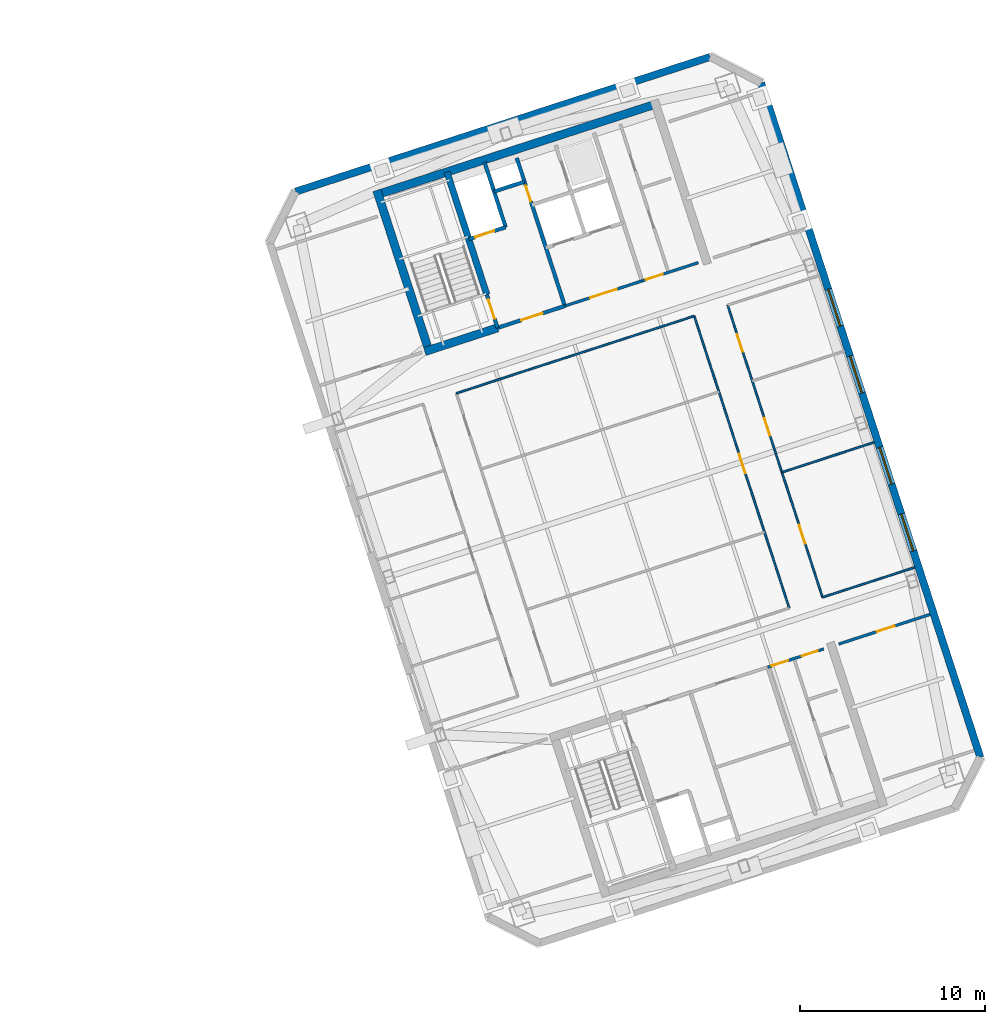
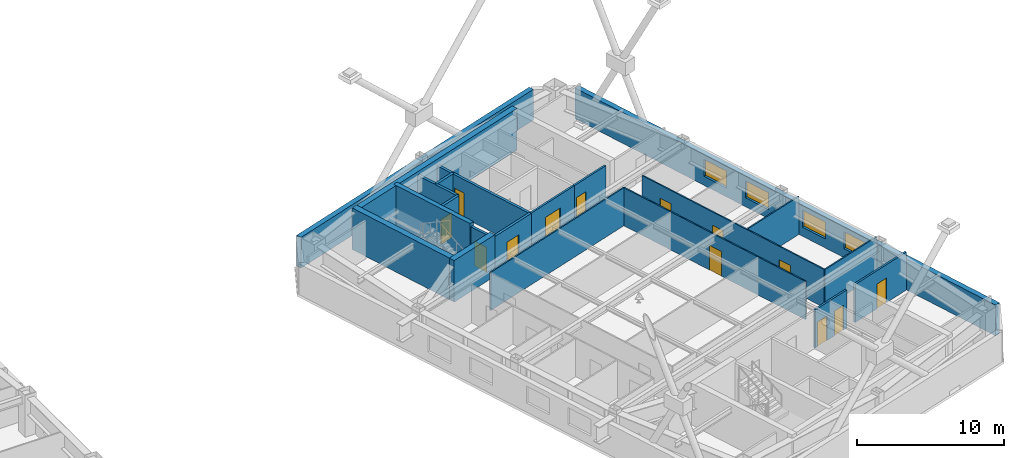
# One storey, part 10 of 15: 21 walls, 13 doors, 4 windows, 17 openings.
"""IFC4 building model written with IfcOpenShell, lengths in metres."""

from ifc_helpers import new_model, si_unit, direction, frame, frame_2d, origin, place, context, subcontext, project, spatial, rectangle, extrude, material, layer, layer_set, type_object, element, fill, save


model = new_model("IFC4")

# Units and contexts
model_context = context("Model", 3, precision=1e-05, world=origin(), true_north=direction((0.0, 1.0)))
body_context = subcontext(model_context, "Body", "Model", "MODEL_VIEW")
ifc_project = project(units=[si_unit("LENGTHUNIT", "METRE"), si_unit("AREAUNIT", "SQUARE_METRE"), si_unit("VOLUMEUNIT", "CUBIC_METRE"), si_unit("PLANEANGLEUNIT", "RADIAN"), si_unit("MASSUNIT", "GRAM", prefix="KILO")], contexts=[model_context])

# Site, building, storey
site_placement = place(None, origin())
site = spatial("IfcSite", under=ifc_project, at=site_placement, CompositionType="ELEMENT")
building_placement = place(site_placement, origin())
building = spatial("IfcBuilding", under=site, at=building_placement, Name="Qiaolan Cultural Towers", CompositionType="ELEMENT")
storey_placement = place(building_placement, frame((0.0, 0.0, 212.75)))
storey = spatial("IfcBuildingStorey", under=building, at=storey_placement, Name="L57", CompositionType="ELEMENT", Elevation=212.75)

# Walls
ifc_material_1 = material(Name="Concrete C50", Category="concrete")
ifc_layer_1 = layer(ifc_material_1, 0.35009765625)
ifc_layer_set_1 = layer_set([ifc_layer_1], Name="Concrete C50")
wall_type_1 = type_object("IfcWallType", Name="WL-CORE-350", PredefinedType="SHEAR", material=ifc_layer_set_1)
wall_1_placement = place(storey_placement, frame((82.513671875, 45.13134765625, 0.0), z_axis=(0.0, 0.0, 1.0), x_axis=(-0.308988790936, 0.951065679686, 0.0)))
element("IfcWall", 1, at=wall_1_placement, inside=storey, type_object=wall_type_1, Name="L57 T2-CN Stair Core Dividing Web", PredefinedType="SHEAR", context=body_context, shape_type="SweptSolid", body=[
    extrude(rectangle(XDim=6.97998046875, YDim=0.35009765625, at=frame_2d((3.489990234375, 0.0))), origin(), (0.0, 0.0, 1.0), 3.449951171875),
])
ifc_material_2 = material(Name="Concrete C50", Category="concrete")
ifc_layer_2 = layer(ifc_material_2, 0.449951171875)
ifc_layer_set_2 = layer_set([ifc_layer_2], Name="Concrete C50")
wall_type_2 = type_object("IfcWallType", Name="WL-CORE-450", PredefinedType="SHEAR", material=ifc_layer_set_2)
wall_2_placement = place(storey_placement, frame((76.414794921875, 50.489013671875, 0.0), z_axis=(0.0, 0.0, 1.0), x_axis=(0.951056810414, 0.309016089169, 0.0)))
element("IfcWall", 2, at=wall_2_placement, inside=storey, type_object=wall_type_2, Name="L57 T2-CN Outer Core Shear Wall", PredefinedType="SHEAR", context=body_context, shape_type="SweptSolid", body=[
    extrude(rectangle(XDim=16.25, YDim=0.449951171875, at=frame_2d((8.125, 0.0))), origin(), (0.0, 0.0, 1.0), 3.449951171875),
])
wall_3_placement = place(storey_placement, frame((79.4423828125, 41.899169921875, 0.0), z_axis=(0.0, 0.0, 1.0), x_axis=(-0.309035778627, 0.951050412717, 0.0)))
element("IfcWall", 3, at=wall_3_placement, inside=storey, type_object=wall_type_2, Name="L57 T2-CN West Core Shear Wall", PredefinedType="SHEAR", context=body_context, shape_type="SweptSolid", body=[
    extrude(rectangle(XDim=9.330078125, YDim=0.449951171875, at=frame_2d((4.6650390625, 0.0))), origin(), (0.0, 0.0, 1.0), 3.449951171875),
])
wall_4_placement = place(storey_placement, frame((79.15869140625, 42.04345703125, 0.0), z_axis=(0.0, 0.0, 1.0), x_axis=(0.951047485828, 0.309044785913, 0.0)))
element("IfcWall", 4, at=wall_4_placement, inside=storey, type_object=wall_type_2, Name="L57 T2-CN Stair Front Shear Wall", PredefinedType="SHEAR", context=body_context, shape_type="SweptSolid", body=[
    extrude(rectangle(XDim=4.14501953125, YDim=0.449951171875, at=frame_2d((2.072509765625, 0.0))), origin(), (0.0, 0.0, 1.0), 3.449951171875),
])
ifc_material_3 = material(Name="Precast Concrete C50 Honed Stone Pier", Category="masonry")
ifc_layer_3 = layer(ifc_material_3, 0.39990234375)
ifc_layer_set_3 = layer_set([ifc_layer_3], Name="Precast Concrete C50 Honed Stone Pier")
wall_type_3 = type_object("IfcWallType", Name="WL-EXT-PIER-400", PredefinedType="SOLIDWALL", material=ifc_layer_set_3)
wall_5_placement = place(storey_placement, frame((72.16455078125, 50.706298828125, 0.0), z_axis=(0.0, 0.0, 1.0), x_axis=(0.951058012937, 0.309012388148, 0.0)))
element("IfcWall", 5, at=wall_5_placement, inside=storey, type_object=wall_type_3, Name="L57 East Tower Precast Pier Facade Wall F3", PredefinedType="SOLIDWALL", context=body_context, shape_type="SweptSolid", body=[
    extrude(rectangle(XDim=23.60009765625, YDim=0.39990234375, at=frame_2d((11.800048828125, 0.0))), origin(), (0.0, 0.0, 1.0), 2.550048828125),
])

# Wall, openings, windows
wall_6_placement = place(storey_placement, frame((97.381591796875, 56.58642578125, 0.0), z_axis=(0.0, 0.0, 1.0), x_axis=(0.309016491071, -0.951056679828, 0.0)))
wall_6 = element("IfcWall", 6, at=wall_6_placement, inside=storey, type_object=wall_type_3, Name="L57 East Tower Precast Pier Facade Wall F5", PredefinedType="SOLIDWALL", context=body_context, shape_type="SweptSolid", body=[
    extrude(rectangle(XDim=38.39990234375, YDim=0.39990234375, at=frame_2d((19.199951171875, 0.0))), origin(), (0.0, 0.0, 1.0), 2.550048828125),
])
opening_1_placement = place(wall_6_placement, frame((24.550048828125, 0.0, 0.75)))
opening_1 = element("IfcOpeningElement", 7, at=opening_1_placement, cuts=wall_6, Name="Opening W-05", PredefinedType="OPENING", context=body_context, shape_type="SweptSolid", body=[
    extrude(rectangle(XDim=2.10009765625, YDim=1.39990234375, at=frame_2d((1.050048828125, 0.699951171875))), frame((0.0, 0.2099609375, 0.0), z_axis=(0.0, -1.0, 0.0), x_axis=(1.0, 0.0, 0.0)), (0.0, 0.0, 1.0), 0.419921875),
])
opening_2_placement = place(wall_6_placement, frame((20.75, 0.0, 0.75)))
opening_2 = element("IfcOpeningElement", 8, at=opening_2_placement, cuts=wall_6, Name="Opening W-05", PredefinedType="OPENING", context=body_context, shape_type="SweptSolid", body=[
    extrude(rectangle(XDim=2.10009765625, YDim=1.39990234375, at=frame_2d((1.050048828125, 0.699951171875))), frame((0.0, 0.2099609375, 0.0), z_axis=(0.0, -1.0, 0.0), x_axis=(1.0, 0.0, 0.0)), (0.0, 0.0, 1.0), 0.419921875),
])
opening_3_placement = place(wall_6_placement, frame((15.550048828125, 0.0, 0.75)))
opening_3 = element("IfcOpeningElement", 9, at=opening_3_placement, cuts=wall_6, Name="Opening W-05", PredefinedType="OPENING", context=body_context, shape_type="SweptSolid", body=[
    extrude(rectangle(XDim=2.10009765625, YDim=1.39990234375, at=frame_2d((1.050048828125, 0.699951171875))), frame((0.0, 0.2099609375, 0.0), z_axis=(0.0, -1.0, 0.0), x_axis=(1.0, 0.0, 0.0)), (0.0, 0.0, 1.0), 0.419921875),
])
opening_4_placement = place(wall_6_placement, frame((11.75, 0.0, 0.75)))
opening_4 = element("IfcOpeningElement", 10, at=opening_4_placement, cuts=wall_6, Name="Opening W-05", PredefinedType="OPENING", context=body_context, shape_type="SweptSolid", body=[
    extrude(rectangle(XDim=2.10009765625, YDim=1.39990234375, at=frame_2d((1.050048828125, 0.699951171875))), frame((0.0, 0.2099609375, 0.0), z_axis=(0.0, -1.0, 0.0), x_axis=(1.0, 0.0, 0.0)), (0.0, 0.0, 1.0), 0.419921875),
])
ifc_material_4 = material(Name="Thermally Broken Aluminium Triple Low-E Glazing", Category="aluminium")
window_type = type_object("IfcWindowType", Name="WN-CHIC-2100", PartitioningType="SINGLE_PANEL", PredefinedType="WINDOW", material=ifc_material_4)
window_1_placement = place(opening_1_placement, origin())
window_1 = element("IfcWindow", 11, at=window_1_placement, inside=storey, type_object=window_type, Name="L57 T2 E Chicago Bay Window 1", OverallHeight=1.39990234375, OverallWidth=2.10009765625, PartitioningType="TRIPLE_PANEL_VERTICAL", PredefinedType="WINDOW", context=body_context, shape_type="SweptSolid", body=[
    extrude(rectangle(XDim=2.10009765625, YDim=1.39990234375, at=frame_2d((1.050048828125, 0.699951171875))), frame((0.0, 0.030029296875, 0.0), z_axis=(0.0, -1.0, 0.0), x_axis=(1.0, 0.0, 0.0)), (0.0, 0.0, 1.0), 0.06005859375),
])
fill(opening_1, window_1)
window_2_placement = place(opening_2_placement, origin())
window_2 = element("IfcWindow", 12, at=window_2_placement, inside=storey, type_object=window_type, Name="L57 T2 E Chicago Bay Window 2", OverallHeight=1.39990234375, OverallWidth=2.10009765625, PartitioningType="TRIPLE_PANEL_VERTICAL", PredefinedType="WINDOW", context=body_context, shape_type="SweptSolid", body=[
    extrude(rectangle(XDim=2.10009765625, YDim=1.39990234375, at=frame_2d((1.050048828125, 0.699951171875))), frame((0.0, 0.030029296875, 0.0), z_axis=(0.0, -1.0, 0.0), x_axis=(1.0, 0.0, 0.0)), (0.0, 0.0, 1.0), 0.06005859375),
])
fill(opening_2, window_2)
window_3_placement = place(opening_3_placement, origin())
window_3 = element("IfcWindow", 13, at=window_3_placement, inside=storey, type_object=window_type, Name="L57 T2 E Chicago Bay Window 3", OverallHeight=1.39990234375, OverallWidth=2.10009765625, PartitioningType="TRIPLE_PANEL_VERTICAL", PredefinedType="WINDOW", context=body_context, shape_type="SweptSolid", body=[
    extrude(rectangle(XDim=2.10009765625, YDim=1.39990234375, at=frame_2d((1.050048828125, 0.699951171875))), frame((0.0, 0.030029296875, 0.0), z_axis=(0.0, -1.0, 0.0), x_axis=(1.0, 0.0, 0.0)), (0.0, 0.0, 1.0), 0.06005859375),
])
fill(opening_3, window_3)
window_4_placement = place(opening_4_placement, origin())
window_4 = element("IfcWindow", 14, at=window_4_placement, inside=storey, type_object=window_type, Name="L57 T2 E Chicago Bay Window 4", OverallHeight=1.39990234375, OverallWidth=2.10009765625, PartitioningType="TRIPLE_PANEL_VERTICAL", PredefinedType="WINDOW", context=body_context, shape_type="SweptSolid", body=[
    extrude(rectangle(XDim=2.10009765625, YDim=1.39990234375, at=frame_2d((1.050048828125, 0.699951171875))), frame((0.0, 0.030029296875, 0.0), z_axis=(0.0, -1.0, 0.0), x_axis=(1.0, 0.0, 0.0)), (0.0, 0.0, 1.0), 0.06005859375),
])
fill(opening_4, window_4)

# Wall, opening, door
ifc_material_5 = material(Name="Concrete C35 Fire Wall", Category="concrete")
ifc_layer_4 = layer(ifc_material_5, 0.199951171875)
ifc_layer_set_4 = layer_set([ifc_layer_4], Name="Concrete C35 Fire Wall")
wall_type_4 = type_object("IfcWallType", Name="WL-FIRE-200", PredefinedType="PARTITIONING", material=ifc_layer_set_4)
wall_7_placement = place(storey_placement, frame((83.100830078125, 43.324462890625, 0.0), z_axis=(0.0, 0.0, 1.0), x_axis=(-0.309048298632, 0.951046344356, 0.0)))
wall_7 = element("IfcWall", 15, at=wall_7_placement, inside=storey, type_object=wall_type_4, Name="L57 T2-CN Smokeproof Stair Entry Wall", PredefinedType="PARTITIONING", context=body_context, shape_type="SweptSolid", body=[
    extrude(rectangle(XDim=1.89990234375, YDim=0.199951171875, at=frame_2d((0.949951171875, 0.0))), origin(), (0.0, 0.0, 1.0), 3.155029296875),
])
opening_5_placement = place(wall_7_placement, frame((0.52001953125, 0.0, 0.0)))
opening_5 = element("IfcOpeningElement", 16, at=opening_5_placement, cuts=wall_7, Name="Opening FD-04", PredefinedType="OPENING", context=body_context, shape_type="SweptSolid", body=[
    extrude(rectangle(XDim=1.10009765625, YDim=2.050048828125, at=frame_2d((0.550048828125, 1.02490234375))), frame((0.0, 0.10986328125, 0.0), z_axis=(0.0, -1.0, 0.0), x_axis=(1.0, 0.0, 0.0)), (0.0, 0.0, 1.0), 0.219970703125),
])
ifc_material_6 = material(Name="Galvanized Steel Command Fire Door", Category="steel")
door_type_1 = type_object("IfcDoorType", Name="DR-FD90-1100", OperationType="NOTDEFINED", PredefinedType="DOOR", material=ifc_material_6)
door_1_placement = place(opening_5_placement, origin())
door_1 = element("IfcDoor", 17, at=door_1_placement, inside=storey, type_object=door_type_1, Name="L57 ST-E2 Smokeproof Stair Fire Door", OperationType="SINGLE_SWING_LEFT", OverallHeight=2.050048828125, OverallWidth=1.10009765625, PredefinedType="DOOR", context=body_context, shape_type="SweptSolid", body=[
    extrude(rectangle(XDim=1.10009765625, YDim=2.050048828125, at=frame_2d((0.550048828125, 1.02490234375))), frame((0.0, 0.02490234375, 0.0), z_axis=(0.0, -1.0, 0.0), x_axis=(1.0, 0.0, 0.0)), (0.0, 0.0, 1.0), 0.050048828125),
])
fill(opening_5, door_1)

wall_8_placement = place(storey_placement, frame((86.743408203125, 44.508056640625, 0.0), z_axis=(0.0, 0.0, 1.0), x_axis=(-0.309016001439, 0.951056838919, 0.0)))
wall_8 = element("IfcWall", 18, at=wall_8_placement, inside=storey, type_object=wall_type_4, Name="L57 T2-CN Firefighting Zone Wall", PredefinedType="PARTITIONING", context=body_context, shape_type="SweptSolid", body=[
    extrude(rectangle(XDim=8.429931640625, YDim=0.199951171875, at=frame_2d((4.21484375, 0.0))), origin(), (0.0, 0.0, 1.0), 3.155029296875),
])
opening_6_placement = place(wall_8_placement, frame((5.949951171875, 0.0, 0.0)))
opening_6 = element("IfcOpeningElement", 19, at=opening_6_placement, cuts=wall_8, Name="Opening ID-06", PredefinedType="OPENING", context=body_context, shape_type="SweptSolid", body=[
    extrude(rectangle(XDim=0.89990234375, YDim=2.050048828125, at=frame_2d((0.449951171875, 1.02490234375))), frame((0.0, 0.10986328125, 0.0), z_axis=(0.0, -1.0, 0.0), x_axis=(1.0, 0.0, 0.0)), (0.0, 0.0, 1.0), 0.219970703125),
])
ifc_material_7 = material(Name="Fire-Rated Laminate Core Service Door", Category="timber")
door_type_2 = type_object("IfcDoorType", Name="DR-INT-900", OperationType="NOTDEFINED", PredefinedType="DOOR", material=ifc_material_7)
door_2_placement = place(opening_6_placement, origin())
door_2 = element("IfcDoor", 20, at=door_2_placement, inside=storey, type_object=door_type_2, Name="L57 Sky Shuttle Transfer Lobby Door", OperationType="SINGLE_SWING_LEFT", OverallHeight=2.050048828125, OverallWidth=0.89990234375, PredefinedType="DOOR", context=body_context, shape_type="SweptSolid", body=[
    extrude(rectangle(XDim=0.89990234375, YDim=2.050048828125, at=frame_2d((0.449951171875, 1.02490234375))), frame((0.0, 0.02490234375, 0.0), z_axis=(0.0, -1.0, 0.0), x_axis=(1.0, 0.0, 0.0)), (0.0, 0.0, 1.0), 0.050048828125),
])
fill(opening_6, door_2)

wall_9_placement = place(storey_placement, frame((83.100830078125, 43.324462890625, 0.0), z_axis=(0.0, 0.0, 1.0), x_axis=(0.951052804469, 0.309028417967, 0.0)))
wall_9 = element("IfcWall", 21, at=wall_9_placement, inside=storey, type_object=wall_type_4, Name="L57 T2-CN Firefighting Lobby Front Wall", PredefinedType="PARTITIONING", context=body_context, shape_type="SweptSolid", body=[
    extrude(rectangle(XDim=3.830078125, YDim=0.199951171875, at=frame_2d((1.9150390625, 0.0))), origin(), (0.0, 0.0, 1.0), 3.155029296875),
])
opening_7_placement = place(wall_9_placement, frame((1.35009765625, 0.0, 0.0)))
opening_7 = element("IfcOpeningElement", 22, at=opening_7_placement, cuts=wall_9, Name="Opening FD-03", PredefinedType="OPENING", context=body_context, shape_type="SweptSolid", body=[
    extrude(rectangle(XDim=1.199951171875, YDim=2.050048828125, at=frame_2d((0.60009765625, 1.02490234375))), frame((0.0, 0.10986328125, 0.0), z_axis=(0.0, -1.0, 0.0), x_axis=(1.0, 0.0, 0.0)), (0.0, 0.0, 1.0), 0.219970703125),
])
ifc_material_8 = material(Name="Galvanized Steel Smokeproof Lobby Fire Door", Category="steel")
door_type_3 = type_object("IfcDoorType", Name="DR-FD90-1200", OperationType="NOTDEFINED", PredefinedType="DOOR", material=ifc_material_8)
door_3_placement = place(opening_7_placement, origin())
door_3 = element("IfcDoor", 23, at=door_3_placement, inside=storey, type_object=door_type_3, Name="L57 FFL-E2 Firefighting Lobby Fire Door", OperationType="SINGLE_SWING_LEFT", OverallHeight=2.050048828125, OverallWidth=1.199951171875, PredefinedType="DOOR", context=body_context, shape_type="SweptSolid", body=[
    extrude(rectangle(XDim=1.199951171875, YDim=2.050048828125, at=frame_2d((0.60009765625, 1.02490234375))), frame((0.0, 0.02490234375, 0.0), z_axis=(0.0, -1.0, 0.0), x_axis=(1.0, 0.0, 0.0)), (0.0, 0.0, 1.0), 0.050048828125),
])
fill(opening_7, door_3)

wall_10_placement = place(storey_placement, frame((81.540283203125, 48.127197265625, 0.0), z_axis=(0.0, 0.0, 1.0), x_axis=(0.951062257173, 0.308999325213, 0.0)))
wall_10 = element("IfcWall", 24, at=wall_10_placement, inside=storey, type_object=wall_type_4, Name="L57 T2-CN Firefighting Shaft Front Wall", PredefinedType="PARTITIONING", context=body_context, shape_type="SweptSolid", body=[
    extrude(rectangle(XDim=2.10009765625, YDim=0.199951171875, at=frame_2d((1.050048828125, 0.0))), origin(), (0.0, 0.0, 1.0), 3.155029296875),
])
opening_8_placement = place(wall_10_placement, frame((0.35009765625, 0.0, 0.0)))
opening_8 = element("IfcOpeningElement", 25, at=opening_8_placement, cuts=wall_10, Name="Opening LD-01", PredefinedType="OPENING", context=body_context, shape_type="SweptSolid", body=[
    extrude(rectangle(XDim=1.10009765625, YDim=2.050048828125, at=frame_2d((0.550048828125, 1.02490234375))), frame((0.0, 0.10986328125, 0.0), z_axis=(0.0, -1.0, 0.0), x_axis=(1.0, 0.0, 0.0)), (0.0, 0.0, 1.0), 0.219970703125),
])
ifc_material_9 = material(Name="Brushed Stainless Steel S30408 Centre-Parting Lift Landing Door", Category="steel")
door_type_4 = type_object("IfcDoorType", Name="DR-LIFT-1100", OperationType="NOTDEFINED", PredefinedType="DOOR", material=ifc_material_9)
door_4_placement = place(opening_8_placement, origin())
door_4 = element("IfcDoor", 26, at=door_4_placement, inside=storey, type_object=door_type_4, Name="L57 FFL-E2 Firefighting Lift Landing Door", OperationType="DOUBLE_DOOR_SLIDING", OverallHeight=2.050048828125, OverallWidth=1.10009765625, PredefinedType="DOOR", context=body_context, shape_type="SweptSolid", body=[
    extrude(rectangle(XDim=1.10009765625, YDim=2.050048828125, at=frame_2d((0.550048828125, 1.02490234375))), frame((0.0, 0.02490234375, 0.0), z_axis=(0.0, -1.0, 0.0), x_axis=(1.0, 0.0, 0.0)), (0.0, 0.0, 1.0), 0.050048828125),
])
fill(opening_8, door_4)

# Walls
wall_11_placement = place(storey_placement, frame((83.53759765625, 48.776123046875, 0.0), z_axis=(0.0, 0.0, 1.0), x_axis=(-0.3089935693, 0.951064127245, 0.0)))
element("IfcWall", 27, at=wall_11_placement, inside=storey, type_object=wall_type_4, Name="L57 T2-CN Firefighting Hoistway East Wall", PredefinedType="PARTITIONING", context=body_context, shape_type="SweptSolid", body=[
    extrude(rectangle(XDim=3.7001953125, YDim=0.199951171875, at=frame_2d((1.85009765625, 0.0))), origin(), (0.0, 0.0, 1.0), 3.155029296875),
])
wall_12_placement = place(storey_placement, frame((82.910400390625, 50.706787109375, 0.0), z_axis=(0.0, 0.0, 1.0), x_axis=(0.951041328149, 0.309063734775, 0.0)))
element("IfcWall", 28, at=wall_12_placement, inside=storey, type_object=wall_type_4, Name="L57 T2-CN Pressurization Shaft Front Wall", PredefinedType="PARTITIONING", context=body_context, shape_type="SweptSolid", body=[
    extrude(rectangle(XDim=1.72998046875, YDim=0.199951171875, at=frame_2d((0.864990234375, 0.0))), origin(), (0.0, 0.0, 1.0), 3.155029296875),
])
ifc_material_10 = material(Name="Acoustic Double-Glazed Partition Frame", Category="glass")
ifc_layer_5 = layer(ifc_material_10, 0.10009765625)
ifc_layer_set_5 = layer_set([ifc_layer_5], Name="Acoustic Double-Glazed Partition Frame")
wall_type_5 = type_object("IfcWallType", Name="WL-GLAZED-100", PredefinedType="MOVABLE", material=ifc_layer_set_5)
wall_13_placement = place(storey_placement, frame((100.70263671875, 28.729248046875, 0.0), z_axis=(0.0, 0.0, 1.0), x_axis=(0.951055596592, 0.309019824916, 0.0)))
element("IfcWall", 29, at=wall_13_placement, inside=storey, type_object=wall_type_5, Name="L57 T2 Interior Wall", PredefinedType="MOVABLE", context=body_context, shape_type="SweptSolid", body=[
    extrude(rectangle(XDim=5.249755859375, YDim=0.10009765625, at=frame_2d((2.625, 0.0))), origin(), (0.0, 0.0, 1.0), 3.155029296875),
])
wall_14_placement = place(storey_placement, frame((80.86669921875, 39.780517578125, 0.0), z_axis=(0.0, 0.0, 1.0), x_axis=(0.951054192928, 0.309024144872, 0.0)))
element("IfcWall", 30, at=wall_14_placement, inside=storey, type_object=wall_type_5, Name="L57 T2 Interior Wall", PredefinedType="MOVABLE", context=body_context, shape_type="SweptSolid", body=[
    extrude(rectangle(XDim=13.550048828125, YDim=0.10009765625, at=frame_2d((6.77490234375, 0.0))), origin(), (0.0, 0.0, 1.0), 3.155029296875),
])

# Wall, opening, door
wall_15_placement = place(storey_placement, frame((98.8955078125, 28.14208984375, 0.0), z_axis=(0.0, 0.0, 1.0), x_axis=(-0.30901773025, 0.951056277195, 0.0)))
wall_15 = element("IfcWall", 31, at=wall_15_placement, inside=storey, type_object=wall_type_5, Name="L57 T2 Interior Wall", PredefinedType="MOVABLE", context=body_context, shape_type="SweptSolid", body=[
    extrude(rectangle(XDim=16.64013671875, YDim=0.10009765625, at=frame_2d((8.320068359375, 0.0))), origin(), (0.0, 0.0, 1.0), 3.155029296875),
])
opening_9_placement = place(wall_15_placement, frame((7.679931640625, 0.0, 0.0)))
opening_9 = element("IfcOpeningElement", 32, at=opening_9_placement, cuts=wall_15, Name="Opening ID-03", PredefinedType="OPENING", context=body_context, shape_type="SweptSolid", body=[
    extrude(rectangle(XDim=1.10009765625, YDim=2.050048828125, at=frame_2d((0.550048828125, 1.02490234375))), frame((0.0, 0.06005859375, 0.0), z_axis=(0.0, -1.0, 0.0), x_axis=(1.0, 0.0, 0.0)), (0.0, 0.0, 1.0), 0.1201171875),
])
ifc_material_11 = material(Name="Oak Veneer Solid-Core Boardroom Door", Category="timber")
door_type_5 = type_object("IfcDoorType", Name="DR-INT-1100", OperationType="NOTDEFINED", PredefinedType="DOOR", material=ifc_material_11)
door_5_placement = place(opening_9_placement, origin())
door_5 = element("IfcDoor", 33, at=door_5_placement, inside=storey, type_object=door_type_5, Name="L57 T2 Central Study Salon Door", OperationType="SINGLE_SWING_LEFT", OverallHeight=2.050048828125, OverallWidth=1.10009765625, PredefinedType="DOOR", context=body_context, shape_type="SweptSolid", body=[
    extrude(rectangle(XDim=1.10009765625, YDim=2.050048828125, at=frame_2d((0.550048828125, 1.02490234375))), frame((0.0, 0.02490234375, 0.0), z_axis=(0.0, -1.0, 0.0), x_axis=(1.0, 0.0, 0.0)), (0.0, 0.0, 1.0), 0.050048828125),
])
fill(opening_9, door_5)

# Wall, openings, doors
wall_16_placement = place(storey_placement, frame((100.70263671875, 28.729248046875, 0.0), z_axis=(0.0, 0.0, 1.0), x_axis=(-0.30901773025, 0.951056277195, 0.0)))
wall_16 = element("IfcWall", 34, at=wall_16_placement, inside=storey, type_object=wall_type_5, Name="L57 T2 Interior Wall", PredefinedType="MOVABLE", context=body_context, shape_type="SweptSolid", body=[
    extrude(rectangle(XDim=16.64013671875, YDim=0.10009765625, at=frame_2d((8.320068359375, 0.0))), origin(), (0.0, 0.0, 1.0), 3.155029296875),
])
opening_10_placement = place(wall_16_placement, frame((3.06005859375, 0.0, 0.0)))
opening_10 = element("IfcOpeningElement", 35, at=opening_10_placement, cuts=wall_16, Name="Opening ID-07", PredefinedType="OPENING", context=body_context, shape_type="SweptSolid", body=[
    extrude(rectangle(XDim=1.050048828125, YDim=2.050048828125, at=frame_2d((0.52490234375, 1.02490234375))), frame((0.0, 0.06005859375, 0.0), z_axis=(0.0, -1.0, 0.0), x_axis=(1.0, 0.0, 0.0)), (0.0, 0.0, 1.0), 0.1201171875),
])
opening_11_placement = place(wall_16_placement, frame((9.219970703125, 0.0, 0.0)))
opening_11 = element("IfcOpeningElement", 36, at=opening_11_placement, cuts=wall_16, Name="Opening ID-04", PredefinedType="OPENING", context=body_context, shape_type="SweptSolid", body=[
    extrude(rectangle(XDim=1.0, YDim=2.050048828125, at=frame_2d((0.5, 1.02490234375))), frame((0.0, 0.06005859375, 0.0), z_axis=(0.0, -1.0, 0.0), x_axis=(1.0, 0.0, 0.0)), (0.0, 0.0, 1.0), 0.1201171875),
])
opening_12_placement = place(wall_16_placement, frame((13.97998046875, 0.0, 0.0)))
opening_12 = element("IfcOpeningElement", 37, at=opening_12_placement, cuts=wall_16, Name="Opening ID-04", PredefinedType="OPENING", context=body_context, shape_type="SweptSolid", body=[
    extrude(rectangle(XDim=1.0, YDim=2.050048828125, at=frame_2d((0.5, 1.02490234375))), frame((0.0, 0.06005859375, 0.0), z_axis=(0.0, -1.0, 0.0), x_axis=(1.0, 0.0, 0.0)), (0.0, 0.0, 1.0), 0.1201171875),
])
ifc_material_12 = material(Name="Oak Veneer Acoustic Office Door", Category="timber")
door_type_6 = type_object("IfcDoorType", Name="DR-INT-1000", OperationType="NOTDEFINED", PredefinedType="DOOR", material=ifc_material_12)
door_6_placement = place(opening_11_placement, origin())
door_6 = element("IfcDoor", 38, at=door_6_placement, inside=storey, type_object=door_type_6, Name="L57 T2 Strategy Meeting Room Door", OperationType="SINGLE_SWING_LEFT", OverallHeight=2.050048828125, OverallWidth=1.0, PredefinedType="DOOR", context=body_context, shape_type="SweptSolid", body=[
    extrude(rectangle(XDim=1.0, YDim=2.050048828125, at=frame_2d((0.5, 1.02490234375))), frame((0.0, 0.02490234375, 0.0), z_axis=(0.0, -1.0, 0.0), x_axis=(1.0, 0.0, 0.0)), (0.0, 0.0, 1.0), 0.050048828125),
])
fill(opening_11, door_6)
door_7_placement = place(opening_12_placement, origin())
door_7 = element("IfcDoor", 39, at=door_7_placement, inside=storey, type_object=door_type_6, Name="L57 T2 Gallery Salon Door", OperationType="SINGLE_SWING_RIGHT", OverallHeight=2.050048828125, OverallWidth=1.0, PredefinedType="DOOR", context=body_context, shape_type="SweptSolid", body=[
    extrude(rectangle(XDim=1.0, YDim=2.050048828125, at=frame_2d((0.5, 1.02490234375))), frame((0.0, 0.02490234375, 0.0), z_axis=(0.0, -1.0, 0.0), x_axis=(1.0, 0.0, 0.0)), (0.0, 0.0, 1.0), 0.050048828125),
])
fill(opening_12, door_7)
ifc_material_13 = material(Name="Oak Veneer Consultation Door", Category="timber")
door_type_7 = type_object("IfcDoorType", Name="DR-INT-1050", OperationType="NOTDEFINED", PredefinedType="DOOR", material=ifc_material_13)
door_8_placement = place(opening_10_placement, origin())
door_8 = element("IfcDoor", 40, at=door_8_placement, inside=storey, type_object=door_type_7, Name="L57 T2 Research Director Office Door", OperationType="SINGLE_SWING_RIGHT", OverallHeight=2.050048828125, OverallWidth=1.050048828125, PredefinedType="DOOR", context=body_context, shape_type="SweptSolid", body=[
    extrude(rectangle(XDim=1.050048828125, YDim=2.050048828125, at=frame_2d((0.52490234375, 1.02490234375))), frame((0.0, 0.02490234375, 0.0), z_axis=(0.0, -1.0, 0.0), x_axis=(1.0, 0.0, 0.0)), (0.0, 0.0, 1.0), 0.050048828125),
])
fill(opening_10, door_8)

# Wall
wall_17_placement = place(storey_placement, frame((98.50244140625, 35.500732421875, 0.0), z_axis=(0.0, 0.0, 1.0), x_axis=(0.951055596592, 0.309019824916, 0.0)))
element("IfcWall", 41, at=wall_17_placement, inside=storey, type_object=wall_type_5, Name="L57 T2 Interior Wall", PredefinedType="MOVABLE", context=body_context, shape_type="SweptSolid", body=[
    extrude(rectangle(XDim=5.249755859375, YDim=0.10009765625, at=frame_2d((2.625, 0.0))), origin(), (0.0, 0.0, 1.0), 3.155029296875),
])

# Wall, openings, doors
ifc_material_14 = material(Name="Autoclaved Aerated Concrete Block B06", Category="concrete")
ifc_layer_6 = layer(ifc_material_14, 0.14990234375)
ifc_layer_set_6 = layer_set([ifc_layer_6], Name="Autoclaved Aerated Concrete Block B06")
wall_type_6 = type_object("IfcWallType", Name="WL-PART-150", PredefinedType="PARTITIONING", material=ifc_layer_set_6)
wall_18_placement = place(storey_placement, frame((97.7265625, 24.9443359375, 0.0), z_axis=(0.0, 0.0, 1.0), x_axis=(0.951036872128, 0.309077446369, 0.0)))
wall_18 = element("IfcWall", 42, at=wall_18_placement, inside=storey, type_object=wall_type_6, Name="L57 T2-CS Sanitary Core Front Wall", PredefinedType="PARTITIONING", context=body_context, shape_type="SweptSolid", body=[
    extrude(rectangle(XDim=3.199951171875, YDim=0.14990234375, at=frame_2d((1.60009765625, 0.0))), origin(), (0.0, 0.0, 1.0), 3.155029296875),
])
opening_13_placement = place(wall_18_placement, frame((0.219970703125, 0.0, 0.0)))
opening_13 = element("IfcOpeningElement", 43, at=opening_13_placement, cuts=wall_18, Name="Opening ID-05", PredefinedType="OPENING", context=body_context, shape_type="SweptSolid", body=[
    extrude(rectangle(XDim=0.949951171875, YDim=2.050048828125, at=frame_2d((0.47509765625, 1.02490234375))), frame((0.0, 0.0849609375, 0.0), z_axis=(0.0, -1.0, 0.0), x_axis=(1.0, 0.0, 0.0)), (0.0, 0.0, 1.0), 0.169921875),
])
opening_14_placement = place(wall_18_placement, frame((1.949951171875, 0.0, 0.0)))
opening_14 = element("IfcOpeningElement", 44, at=opening_14_placement, cuts=wall_18, Name="Opening ID-06", PredefinedType="OPENING", context=body_context, shape_type="SweptSolid", body=[
    extrude(rectangle(XDim=0.89990234375, YDim=2.050048828125, at=frame_2d((0.449951171875, 1.02490234375))), frame((0.0, 0.0849609375, 0.0), z_axis=(0.0, -1.0, 0.0), x_axis=(1.0, 0.0, 0.0)), (0.0, 0.0, 1.0), 0.169921875),
])
door_9_placement = place(opening_14_placement, origin())
door_9 = element("IfcDoor", 45, at=door_9_placement, inside=storey, type_object=door_type_2, Name="L57 Core Tea Pantry Door", OperationType="SINGLE_SWING_RIGHT", OverallHeight=2.050048828125, OverallWidth=0.89990234375, PredefinedType="DOOR", context=body_context, shape_type="SweptSolid", body=[
    extrude(rectangle(XDim=0.89990234375, YDim=2.050048828125, at=frame_2d((0.449951171875, 1.02490234375))), frame((0.0, 0.02490234375, 0.0), z_axis=(0.0, -1.0, 0.0), x_axis=(1.0, 0.0, 0.0)), (0.0, 0.0, 1.0), 0.050048828125),
])
fill(opening_14, door_9)
ifc_material_15 = material(Name="Fire-Rated Laminate Accessible Core Door", Category="timber")
door_type_8 = type_object("IfcDoorType", Name="DR-INT-950", OperationType="NOTDEFINED", PredefinedType="DOOR", material=ifc_material_15)
door_10_placement = place(opening_13_placement, origin())
door_10 = element("IfcDoor", 46, at=door_10_placement, inside=storey, type_object=door_type_8, Name="L57 Sanitary Passage Door", OperationType="SINGLE_SWING_LEFT", OverallHeight=2.050048828125, OverallWidth=0.949951171875, PredefinedType="DOOR", context=body_context, shape_type="SweptSolid", body=[
    extrude(rectangle(XDim=0.949951171875, YDim=2.050048828125, at=frame_2d((0.47509765625, 1.02490234375))), frame((0.0, 0.02490234375, 0.0), z_axis=(0.0, -1.0, 0.0), x_axis=(1.0, 0.0, 0.0)), (0.0, 0.0, 1.0), 0.050048828125),
])
fill(opening_13, door_10)

# Wall, opening, door
wall_19_placement = place(storey_placement, frame((86.743408203125, 44.508056640625, 0.0), z_axis=(0.0, 0.0, 1.0), x_axis=(0.951063829732, 0.308994485023, 0.0)))
wall_19 = element("IfcWall", 47, at=wall_19_placement, inside=storey, type_object=wall_type_6, Name="L57 T2-CN Passenger Lift Lobby Front Wall", PredefinedType="PARTITIONING", context=body_context, shape_type="SweptSolid", body=[
    extrude(rectangle(XDim=4.400146484375, YDim=0.14990234375, at=frame_2d((2.2001953125, 0.0))), origin(), (0.0, 0.0, 1.0), 3.155029296875),
])
opening_15_placement = place(wall_19_placement, frame((1.449951171875, 0.0, 0.0)))
opening_15 = element("IfcOpeningElement", 48, at=opening_15_placement, cuts=wall_19, Name="Opening FD-05", PredefinedType="OPENING", context=body_context, shape_type="SweptSolid", body=[
    extrude(rectangle(XDim=1.5, YDim=2.050048828125, at=frame_2d((0.75, 1.02490234375))), frame((0.0, 0.0849609375, 0.0), z_axis=(0.0, -1.0, 0.0), x_axis=(1.0, 0.0, 0.0)), (0.0, 0.0, 1.0), 0.169921875),
])
ifc_material_16 = material(Name="Painted Steel Lift Lobby Fire Door", Category="steel")
door_type_9 = type_object("IfcDoorType", Name="DR-FD60-1500", OperationType="NOTDEFINED", PredefinedType="DOOR", material=ifc_material_16)
door_11_placement = place(opening_15_placement, origin())
door_11 = element("IfcDoor", 49, at=door_11_placement, inside=storey, type_object=door_type_9, Name="L57 Passenger Lift Lobby Entrance", OperationType="SINGLE_SWING_LEFT", OverallHeight=2.050048828125, OverallWidth=1.5, PredefinedType="DOOR", context=body_context, shape_type="SweptSolid", body=[
    extrude(rectangle(XDim=1.5, YDim=2.050048828125, at=frame_2d((0.75, 1.02490234375))), frame((0.0, 0.02490234375, 0.0), z_axis=(0.0, -1.0, 0.0), x_axis=(1.0, 0.0, 0.0)), (0.0, 0.0, 1.0), 0.050048828125),
])
fill(opening_15, door_11)

wall_20_placement = place(storey_placement, frame((90.92822265625, 45.86767578125, 0.0), z_axis=(0.0, 0.0, 1.0), x_axis=(0.951059297078, 0.309008435874, 0.0)))
wall_20 = element("IfcWall", 50, at=wall_20_placement, inside=storey, type_object=wall_type_6, Name="L57 T2-CN Sanitary Core Front Wall", PredefinedType="PARTITIONING", context=body_context, shape_type="SweptSolid", body=[
    extrude(rectangle(XDim=3.19970703125, YDim=0.14990234375, at=frame_2d((1.599853515625, 0.0))), origin(), (0.0, 0.0, 1.0), 3.155029296875),
])
opening_16_placement = place(wall_20_placement, frame((0.219970703125, 0.0, 0.0)))
opening_16 = element("IfcOpeningElement", 51, at=opening_16_placement, cuts=wall_20, Name="Opening ID-05", PredefinedType="OPENING", context=body_context, shape_type="SweptSolid", body=[
    extrude(rectangle(XDim=0.949951171875, YDim=2.050048828125, at=frame_2d((0.47509765625, 1.02490234375))), frame((0.0, 0.0849609375, 0.0), z_axis=(0.0, -1.0, 0.0), x_axis=(1.0, 0.0, 0.0)), (0.0, 0.0, 1.0), 0.169921875),
])
door_12_placement = place(opening_16_placement, origin())
door_12 = element("IfcDoor", 52, at=door_12_placement, inside=storey, type_object=door_type_8, Name="L57 Sanitary Lobby Door", OperationType="SINGLE_SWING_LEFT", OverallHeight=2.050048828125, OverallWidth=0.949951171875, PredefinedType="DOOR", context=body_context, shape_type="SweptSolid", body=[
    extrude(rectangle(XDim=0.949951171875, YDim=2.050048828125, at=frame_2d((0.47509765625, 1.02490234375))), frame((0.0, 0.02490234375, 0.0), z_axis=(0.0, -1.0, 0.0), x_axis=(1.0, 0.0, 0.0)), (0.0, 0.0, 1.0), 0.050048828125),
])
fill(opening_16, door_12)

wall_21_placement = place(storey_placement, frame((101.578369140625, 26.196044921875, 0.0), z_axis=(0.0, 0.0, 1.0), x_axis=(0.951064427824, 0.308992644131, 0.0)))
wall_21 = element("IfcWall", 53, at=wall_21_placement, inside=storey, type_object=wall_type_6, Name="L57 T2 Flank Front FLK-SE", PredefinedType="PARTITIONING", context=body_context, shape_type="SweptSolid", body=[
    extrude(rectangle(XDim=5.19970703125, YDim=0.14990234375, at=frame_2d((2.599853515625, 0.0))), origin(), (0.0, 0.0, 1.0), 3.155029296875),
])
opening_17_placement = place(wall_21_placement, frame((2.18408203125, 0.0, 0.0)))
opening_17 = element("IfcOpeningElement", 54, at=opening_17_placement, cuts=wall_21, Name="Opening ID-04", PredefinedType="OPENING", context=body_context, shape_type="SweptSolid", body=[
    extrude(rectangle(XDim=1.0, YDim=2.050048828125, at=frame_2d((0.5, 1.02490234375))), frame((0.0, 0.0849609375, 0.0), z_axis=(0.0, -1.0, 0.0), x_axis=(1.0, 0.0, 0.0)), (0.0, 0.0, 1.0), 0.169921875),
])
door_13_placement = place(opening_17_placement, origin())
door_13 = element("IfcDoor", 55, at=door_13_placement, inside=storey, type_object=door_type_6, Name="L57 T2 Corner Studio Door", OperationType="SINGLE_SWING_LEFT", OverallHeight=2.050048828125, OverallWidth=1.0, PredefinedType="DOOR", context=body_context, shape_type="SweptSolid", body=[
    extrude(rectangle(XDim=1.0, YDim=2.050048828125, at=frame_2d((0.5, 1.02490234375))), frame((0.0, 0.02490234375, 0.0), z_axis=(0.0, -1.0, 0.0), x_axis=(1.0, 0.0, 0.0)), (0.0, 0.0, 1.0), 0.050048828125),
])
fill(opening_17, door_13)

save(model, "model.ifc")
